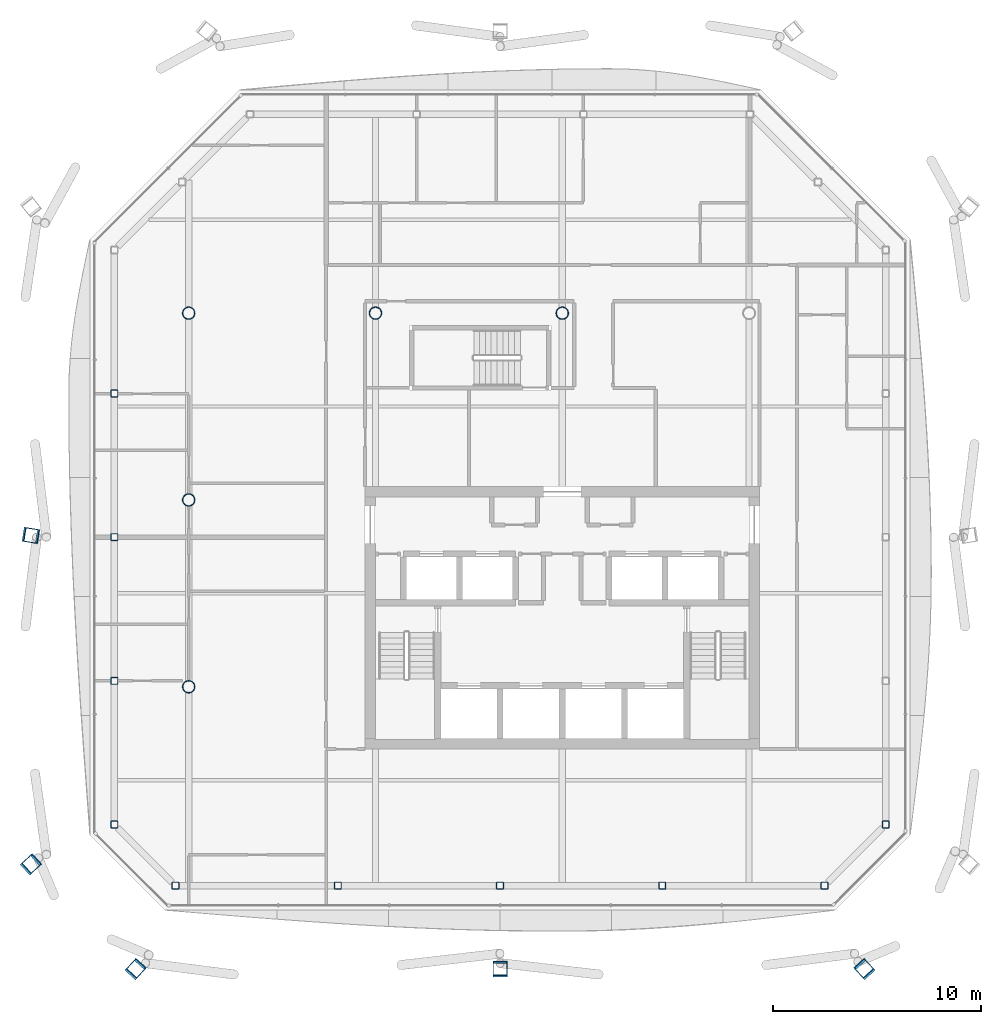
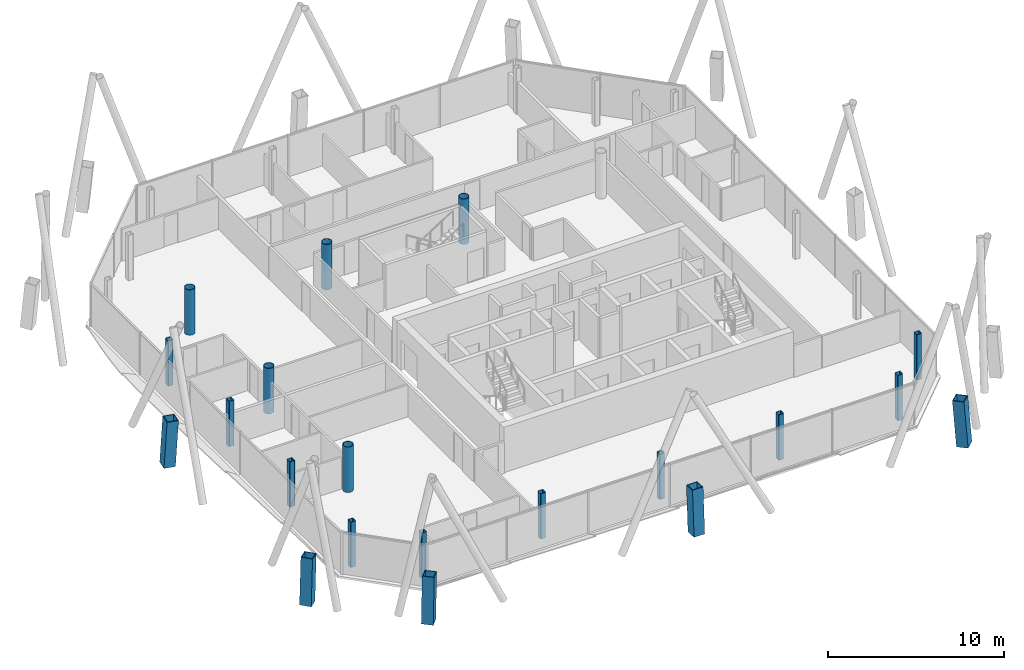
# One storey, part 1 of 20: 20 columns.
"""IFC4 building model written with IfcOpenShell, lengths in metres."""

from ifc_helpers import new_model, si_unit, direction, frame, origin, origin_2d, place, context, subcontext, project, spatial, hollow_rectangle, hollow_circle, extrude, material, material_profile, profile_set, type_object, element, save


model = new_model("IFC4")

# Units and contexts
model_context = context("Model", 3, precision=1e-05, world=origin(), true_north=direction((0.0, 1.0)))
body_context = subcontext(model_context, "Body", "Model", "MODEL_VIEW")
ifc_project = project(units=[si_unit("LENGTHUNIT", "METRE"), si_unit("AREAUNIT", "SQUARE_METRE"), si_unit("VOLUMEUNIT", "CUBIC_METRE"), si_unit("PLANEANGLEUNIT", "RADIAN"), si_unit("MASSUNIT", "GRAM", prefix="KILO")], contexts=[model_context])

# Site, building, storey
site_placement = place(None, origin())
site = spatial("IfcSite", under=ifc_project, at=site_placement, CompositionType="ELEMENT")
building_placement = place(site_placement, origin())
building = spatial("IfcBuilding", under=site, at=building_placement, Name="Tskaro Facet Tower", CompositionType="ELEMENT")
storey_placement = place(building_placement, frame((0.0, 0.0, 200.550048828125)))
storey = spatial("IfcBuildingStorey", under=building, at=storey_placement, Name="L51", CompositionType="ELEMENT", Elevation=200.550048828125)

# Columns
ifc_material_1 = material(Name="Steel S460M", Category="steel")
ifc_material_profile_1 = material_profile(ifc_material_1, hollow_rectangle(XDim=0.699951171875, YDim=0.699951171875, WallThickness=0.044921875, at=origin_2d()), Name="BOX 700x700x45")
ifc_profile_set_1 = profile_set([ifc_material_profile_1], Name="Steel S460M")
column_type_1 = type_object("IfcColumnType", Name="BOX 700x700x45 mega column", PredefinedType="COLUMN", material=ifc_profile_set_1)
column_1_placement = place(storey_placement, frame((-20.583984375, -22.633056640625, 0.0), z_axis=(0.052543500671, 0.057952390446, 0.996935655385), x_axis=(-0.74083333658, 0.671688891833, 0.0)))
element("IfcColumn", 1, at=column_1_placement, inside=storey, type_object=column_type_1, Name="BOX 700x700x45 MC01/4", PredefinedType="COLUMN", context=body_context, shape_type="SweptSolid", body=[
    extrude(hollow_rectangle(XDim=0.699951171875, YDim=0.699951171875, WallThickness=0.044921875, at=origin_2d()), origin(), (0.0, 0.0, 1.0), 3.15966796875),
])
column_2_placement = place(storey_placement, frame((-3.0, -22.633056640625, 0.0), z_axis=(0.0, 0.058032554517, 0.998314691175), x_axis=(-1.0, 0.0, 0.0)))
element("IfcColumn", 2, at=column_2_placement, inside=storey, type_object=column_type_1, Name="BOX 700x700x45 MC02/4", PredefinedType="COLUMN", context=body_context, shape_type="SweptSolid", body=[
    extrude(hollow_rectangle(XDim=0.699951171875, YDim=0.699951171875, WallThickness=0.044921875, at=origin_2d()), origin(), (0.0, 0.0, 1.0), 3.1552734375),
])
column_3_placement = place(storey_placement, frame((14.583984375, -22.633056640625, 0.0), z_axis=(-0.052543500671, 0.057952390446, 0.996935655385), x_axis=(-0.74083333658, -0.671688891833, 0.0)))
element("IfcColumn", 3, at=column_3_placement, inside=storey, type_object=column_type_1, Name="BOX 700x700x45 MC03/4", PredefinedType="COLUMN", context=body_context, shape_type="SweptSolid", body=[
    extrude(hollow_rectangle(XDim=0.699951171875, YDim=0.699951171875, WallThickness=0.044921875, at=origin_2d()), origin(), (0.0, 0.0, 1.0), 3.15966796875),
])
column_4_placement = place(storey_placement, frame((-25.633056640625, -1.7041015625, 0.0), z_axis=(0.058029968966, -0.009439541618, 0.998270212796), x_axis=(0.160556339519, 0.98702667737, 0.0)))
element("IfcColumn", 4, at=column_4_placement, inside=storey, type_object=column_type_1, Name="BOX 700x700x45 MC11/4", PredefinedType="COLUMN", context=body_context, shape_type="SweptSolid", body=[
    extrude(hollow_rectangle(XDim=0.699951171875, YDim=0.699951171875, WallThickness=0.044921875, at=origin_2d()), origin(), (0.0, 0.0, 1.0), 3.1552734375),
])
column_5_placement = place(storey_placement, frame((-25.633056640625, -17.583984375, 0.0), z_axis=(0.057952390446, 0.052543500671, 0.996935655385), x_axis=(-0.671688891833, 0.74083333658, 0.0)))
element("IfcColumn", 5, at=column_5_placement, inside=storey, type_object=column_type_1, Name="BOX 700x700x45 MC12/4", PredefinedType="COLUMN", context=body_context, shape_type="SweptSolid", body=[
    extrude(hollow_rectangle(XDim=0.699951171875, YDim=0.699951171875, WallThickness=0.044921875, at=origin_2d()), origin(), (0.0, 0.0, 1.0), 3.15966796875),
])
ifc_material_2 = material(Name="Steel S355J2H", Category="steel")
ifc_material_profile_2 = material_profile(ifc_material_2, hollow_circle(Radius=0.304931640625, WallThickness=0.030029296875, at=origin_2d()), Name="CHS 610x30")
ifc_profile_set_2 = profile_set([ifc_material_profile_2], Name="Steel S355J2H")
column_type_2 = type_object("IfcColumnType", Name="CHS 610x30 interior column", PredefinedType="COLUMN", material=ifc_profile_set_2)
for number, where, z_axis, x_axis, name in (
    (6, (-18.0, -9.0, 0.0), (0.0, 0.0, 1.0), (1.0, 0.0, 0.0), "CHS 610x30 C2C/4"),
    (7, (-18.0, 0.0, 0.0), (0.0, 0.0, 1.0), (1.0, 0.0, 0.0), "CHS 610x30 C2D/4"),
    (8, (-18.0, 9.0, 0.0), (0.0, 0.0, 1.0), (1.0, 0.0, 0.0), "CHS 610x30 C2E/4"),
    (9, (-9.0, 9.0, 0.0), (0.0, 0.0, 1.0), (1.0, 0.0, 0.0), "CHS 610x30 C3E/4"),
    (10, (0.0, 9.0, 0.0), (0.0, 0.0, 1.0), (1.0, 0.0, 0.0), "CHS 610x30 C4E/4"),
):
    element("IfcColumn", number, at=place(storey_placement, frame(where, z_axis=z_axis, x_axis=x_axis)), inside=storey, type_object=column_type_2, Name=name, PredefinedType="COLUMN", context=body_context, shape_type="SweptSolid", body=[
        extrude(hollow_circle(Radius=0.304931640625, WallThickness=0.030029296875, at=origin_2d()), origin(), (0.0, 0.0, 1.0), 3.14990234375),
    ])
ifc_material_profile_3 = material_profile(ifc_material_2, hollow_rectangle(XDim=0.35009765625, YDim=0.35009765625, WallThickness=0.02001953125, InnerFilletRadius=0.030029296875, OuterFilletRadius=0.050048828125, at=origin_2d()), Name="SHS 350x350x20")
ifc_profile_set_3 = profile_set([ifc_material_profile_3], Name="Steel S355J2H")
column_type_3 = type_object("IfcColumnType", Name="SHS 350x350x20 ring column", PredefinedType="COLUMN", material=ifc_profile_set_3)
for number, where, z_axis, x_axis, name in (
    (11, (-18.633056640625, -18.5830078125, 0.0), (0.0, 0.0, 1.0), (1.0, 0.0, 0.0), "SHS 350x350x20 RS-1/4"),
    (12, (-10.81591796875, -18.5830078125, 0.0), (0.0, 0.0, 1.0), (1.0, 0.0, 0.0), "SHS 350x350x20 RS-2/4"),
    (13, (-3.0, -18.5830078125, 0.0), (0.0, 0.0, 1.0), (1.0, 0.0, 0.0), "SHS 350x350x20 RS-3/4"),
    (14, (4.81689453125, -18.5830078125, 0.0), (0.0, 0.0, 1.0), (1.0, 0.0, 0.0), "SHS 350x350x20 RS-4/4"),
    (15, (12.633056640625, -18.5830078125, 0.0), (0.0, 0.0, 1.0), (1.0, 0.0, 0.0), "SHS 350x350x20 RSE-1/4"),
    (16, (15.5830078125, -15.633056640625, 0.0), (0.0, 0.0, 1.0), (1.0, 0.0, 0.0), "SHS 350x350x20 RE-1/4"),
    (17, (-21.5830078125, 5.1259765625, 0.0), (0.0, 0.0, 1.0), (1.0, 0.0, 0.0), "SHS 350x350x20 RW-2/4"),
    (18, (-21.5830078125, -1.79296875, 0.0), (0.0, 0.0, 1.0), (1.0, 0.0, 0.0), "SHS 350x350x20 RW-3/4"),
    (19, (-21.5830078125, -8.712890625, 0.0), (0.0, 0.0, 1.0), (1.0, 0.0, 0.0), "SHS 350x350x20 RW-4/4"),
    (20, (-21.5830078125, -15.633056640625, 0.0), (0.0, 0.0, 1.0), (1.0, 0.0, 0.0), "SHS 350x350x20 RSW-1/4"),
):
    element("IfcColumn", number, at=place(storey_placement, frame(where, z_axis=z_axis, x_axis=x_axis)), inside=storey, type_object=column_type_3, Name=name, PredefinedType="COLUMN", context=body_context, shape_type="SweptSolid", body=[
        extrude(hollow_rectangle(XDim=0.35009765625, YDim=0.35009765625, WallThickness=0.02001953125, InnerFilletRadius=0.030029296875, OuterFilletRadius=0.050048828125, at=origin_2d()), origin(), (0.0, 0.0, 1.0), 3.14990234375),
    ])

save(model, "model.ifc")
